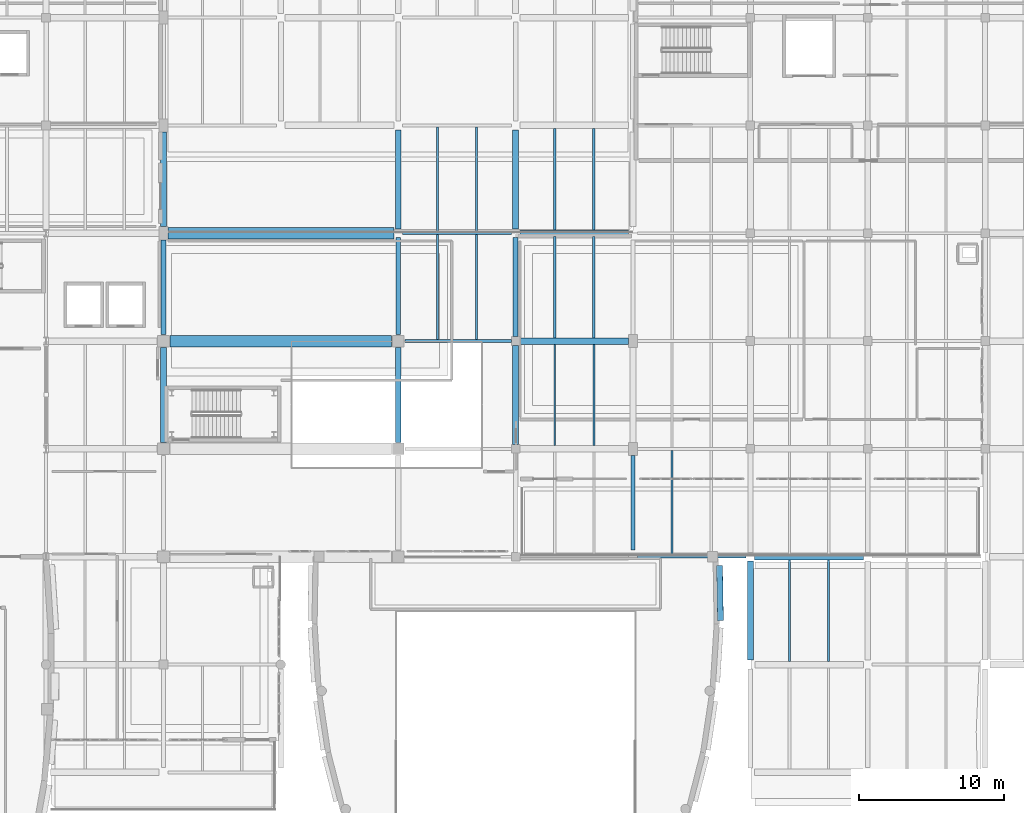
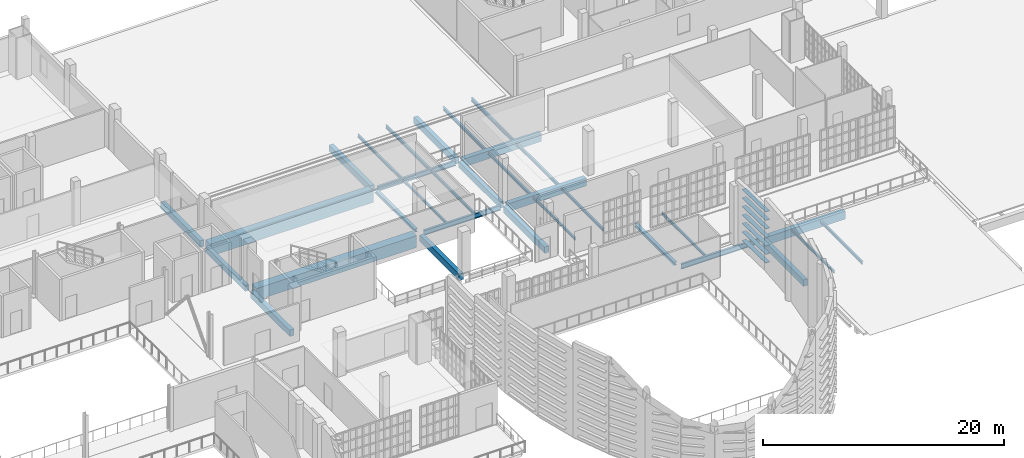
# One storey, part 21 of 73: 32 beams, 7 members.
"""IFC4 building model written with IfcOpenShell, lengths in metres."""

from ifc_helpers import new_model, si_unit, direction, frame, origin, origin_2d, place, context, subcontext, project, spatial, rectangle, hollow_rectangle, i_section, extrude, material, material_profile, profile_set, type_object, element, save


model = new_model("IFC4")

# Units and contexts
model_context = context("Model", 3, precision=1e-05, world=origin(), true_north=direction((0.0, 1.0)))
body_context = subcontext(model_context, "Body", "Model", "MODEL_VIEW")
ifc_project = project(units=[si_unit("LENGTHUNIT", "METRE"), si_unit("AREAUNIT", "SQUARE_METRE"), si_unit("VOLUMEUNIT", "CUBIC_METRE"), si_unit("PLANEANGLEUNIT", "RADIAN"), si_unit("MASSUNIT", "GRAM", prefix="KILO")], contexts=[model_context])

# Site, building, storey
site_placement = place(None, origin())
site = spatial("IfcSite", under=ifc_project, at=site_placement, CompositionType="ELEMENT")
building_placement = place(site_placement, origin())
building = spatial("IfcBuilding", under=site, at=building_placement, Name="Kaelora Sail Theatre", CompositionType="ELEMENT")
storey_placement = place(building_placement, frame((0.0, 0.0, 10.199951171875)))
storey = spatial("IfcBuildingStorey", under=building, at=storey_placement, Name="L02", CompositionType="ELEMENT", Elevation=10.199951171875)

# Members
ifc_material_1 = material(Name="Anodised aluminium 6063-T6", Category="aluminium")
ifc_material_profile_1 = material_profile(ifc_material_1, hollow_rectangle(XDim=0.419921875, YDim=0.054931640625, WallThickness=0.00390625, InnerFilletRadius=0.00390625, OuterFilletRadius=0.008056640625, at=origin_2d()), Name="LOUVRE 420x55x4")
ifc_profile_set_1 = profile_set([ifc_material_profile_1], Name="Anodised aluminium 6063-T6")
member_type = type_object("IfcMemberType", Name="ARC-MEM-LVR-420", PredefinedType="USERDEFINED", material=ifc_profile_set_1)
for number, where, z_axis, x_axis, name in (
    (1, (104.670166015625, 60.412353515625, 0.510009765625), (0.016590707442, -0.999862364742, 0.0), (0.999862364742, 0.016590707442, 0.0), "Studio Theatre Sail Drum horizontal solar louvre C1-12"),
    (2, (104.670166015625, 60.412353515625, 1.3701171875), (0.016590707442, -0.999862364742, 0.0), (0.999862364742, 0.016590707442, 0.0), "Studio Theatre Sail Drum horizontal solar louvre C1-13"),
    (3, (104.670166015625, 60.412353515625, 2.22998046875), (0.016590707442, -0.999862364742, 0.0), (0.999862364742, 0.016590707442, 0.0), "Studio Theatre Sail Drum horizontal solar louvre C1-14"),
    (4, (104.670166015625, 60.412353515625, 3.090087890625), (0.016590707442, -0.999862364742, 0.0), (0.999862364742, 0.016590707442, 0.0), "Studio Theatre Sail Drum horizontal solar louvre C1-15"),
    (5, (104.670166015625, 60.412353515625, 3.949951171875), (0.016590707442, -0.999862364742, 0.0), (0.999862364742, 0.016590707442, 0.0), "Studio Theatre Sail Drum horizontal solar louvre C1-16"),
    (6, (104.670166015625, 60.412353515625, 4.81005859375), (0.016590707442, -0.999862364742, 0.0), (0.999862364742, 0.016590707442, 0.0), "Studio Theatre Sail Drum horizontal solar louvre C1-17"),
    (7, (104.670166015625, 60.412353515625, 5.670166015625), (0.016590707442, -0.999862364742, 0.0), (0.999862364742, 0.016590707442, 0.0), "Studio Theatre Sail Drum horizontal solar louvre C1-18"),
):
    element("IfcMember", number, at=place(storey_placement, frame(where, z_axis=z_axis, x_axis=x_axis)), inside=storey, type_object=member_type, Name=name, ObjectType="LOUVRE", PredefinedType="USERDEFINED", context=body_context, shape_type="SweptSolid", body=[
        extrude(hollow_rectangle(XDim=0.419921875, YDim=0.054931640625, WallThickness=0.00390625, InnerFilletRadius=0.00390625, OuterFilletRadius=0.008056640625, at=origin_2d()), origin(), (0.0, 0.0, 1.0), 3.811279296875),
    ])

# Beams
ifc_material_2 = material(Name="Steel S355", Category="steel")
ifc_material_profile_2 = material_profile(ifc_material_2, i_section(OverallWidth=0.300048828125, OverallDepth=0.31005859375, WebThickness=0.009033203125, FlangeThickness=0.015380859375, FilletRadius=0.027099609375, at=origin_2d()), Name="HEA 320")
ifc_profile_set_2 = profile_set([ifc_material_profile_2], Name="Steel S355")
beam_type_1 = type_object("IfcBeamType", Name="STR-BM-BM-HEA320", PredefinedType="BEAM", material=ifc_profile_set_2)
beam_1_placement = place(storey_placement, frame((82.5, 76.35009765625, -0.449951171875), z_axis=(0.0, 1.0, 0.0), x_axis=(-1.0, 0.0, 0.0)))
element("IfcBeam", 8, at=beam_1_placement, inside=storey, type_object=beam_type_1, Name="Primary beam 11 K-L (L02)", PredefinedType="BEAM", context=body_context, shape_type="SweptSolid", body=[
    extrude(i_section(OverallWidth=0.300048828125, OverallDepth=0.31005859375, WebThickness=0.009033203125, FlangeThickness=0.015380859375, FilletRadius=0.027099609375, at=origin_2d()), origin(), (0.0, 0.0, 1.0), 6.68994140625),
])
beam_2_placement = place(storey_placement, frame((98.699951171875, 61.469970703125, -0.449951171875), z_axis=(0.0, 1.0, 0.0), x_axis=(-1.0, 0.0, 0.0)))
element("IfcBeam", 9, at=beam_2_placement, inside=storey, type_object=beam_type_1, Name="Primary beam 13 I-J (L02)", PredefinedType="BEAM", context=body_context, shape_type="SweptSolid", body=[
    extrude(i_section(OverallWidth=0.300048828125, OverallDepth=0.31005859375, WebThickness=0.009033203125, FlangeThickness=0.015380859375, FilletRadius=0.027099609375, at=origin_2d()), origin(), (0.0, 0.0, 1.0), 6.5400390625),
])
ifc_material_3 = material(Name="Steel S355", Category="steel")
ifc_material_profile_3 = material_profile(ifc_material_3, i_section(OverallWidth=0.199951171875, OverallDepth=0.5, WebThickness=0.01025390625, FlangeThickness=0.01611328125, FilletRadius=0.02099609375, at=origin_2d()), Name="IPE 500")
ifc_profile_set_3 = profile_set([ifc_material_profile_3], Name="Steel S355")
beam_type_2 = type_object("IfcBeamType", Name="STR-BM-BM-IPE500", PredefinedType="BEAM", material=ifc_profile_set_3)
beam_3_placement = place(storey_placement, frame((82.949951171875, 75.89990234375, -0.544921875), z_axis=(1.0, 0.0, 0.0), x_axis=(0.0, 1.0, 0.0)))
element("IfcBeam", 10, at=beam_3_placement, inside=storey, type_object=beam_type_2, Name="Primary beam K 11-12 (L02)", PredefinedType="BEAM", context=body_context, shape_type="SweptSolid", body=[
    extrude(i_section(OverallWidth=0.199951171875, OverallDepth=0.5, WebThickness=0.01025390625, FlangeThickness=0.01611328125, FilletRadius=0.02099609375, at=origin_2d()), origin(), (0.0, 0.0, 1.0), 7.35009765625),
])
for number, where, z_axis, x_axis, name in (
    (11, (82.800048828125, 83.340087890625, -0.544921875), (1.0, 0.0, 0.0), (0.0, 1.0, 0.0), "Primary beam L 11-12 (L02)"),
    (12, (99.0, 61.02001953125, -0.544921875), (1.0, 0.0, 0.0), (0.0, 1.0, 0.0), "Primary beam I 13-14 (L02)"),
):
    element("IfcBeam", number, at=place(storey_placement, frame(where, z_axis=z_axis, x_axis=x_axis)), inside=storey, type_object=beam_type_2, Name=name, PredefinedType="BEAM", context=body_context, shape_type="SweptSolid", body=[
        extrude(i_section(OverallWidth=0.199951171875, OverallDepth=0.5, WebThickness=0.01025390625, FlangeThickness=0.01611328125, FilletRadius=0.02099609375, at=origin_2d()), origin(), (0.0, 0.0, 1.0), 7.5),
    ])
ifc_material_4 = material(Name="Concrete C40/50", Category="concrete")
ifc_material_profile_4 = material_profile(ifc_material_4, rectangle(XDim=0.35009765625, YDim=0.60009765625, at=origin_2d()), Name="RC-BM 350x600")
ifc_profile_set_4 = profile_set([ifc_material_profile_4], Name="Concrete C40/50")
beam_type_3 = type_object("IfcBeamType", Name="STR-BM-BM-RC3560", PredefinedType="BEAM", material=ifc_profile_set_4)
beam_4_placement = place(storey_placement, frame((66.300048828125, 76.35009765625, -0.594970703125), z_axis=(0.0, 1.0, 0.0), x_axis=(-1.0, 0.0, 0.0)))
element("IfcBeam", 13, at=beam_4_placement, inside=storey, type_object=beam_type_3, Name="Primary beam 9 K-L (L02)", PredefinedType="BEAM", context=body_context, shape_type="SweptSolid", body=[
    extrude(rectangle(XDim=0.35009765625, YDim=0.60009765625, at=origin_2d()), origin(), (0.0, 0.0, 1.0), 6.539794921875),
])
beam_5_placement = place(storey_placement, frame((90.60009765625, 76.199951171875, -0.594970703125), z_axis=(0.0, 1.0, 0.0), x_axis=(-1.0, 0.0, 0.0)))
element("IfcBeam", 14, at=beam_5_placement, inside=storey, type_object=beam_type_3, Name="Primary beam 12 K-L (L02)", PredefinedType="BEAM", context=body_context, shape_type="SweptSolid", body=[
    extrude(rectangle(XDim=0.35009765625, YDim=0.60009765625, at=origin_2d()), origin(), (0.0, 0.0, 1.0), 6.840087890625),
])
ifc_material_5 = material(Name="Concrete C40/50", Category="concrete")
ifc_material_profile_5 = material_profile(ifc_material_5, rectangle(XDim=0.39990234375, YDim=0.64990234375, at=origin_2d()), Name="RC-BM 400x650")
ifc_profile_set_5 = profile_set([ifc_material_profile_5], Name="Concrete C40/50")
beam_type_4 = type_object("IfcBeamType", Name="STR-BM-BM-RC4065", PredefinedType="BEAM", material=ifc_profile_set_5)
for number, where, z_axis, x_axis, name in (
    (15, (66.300048828125, 68.909912109375, -0.619873046875), (0.0, 1.0, 0.0), (-1.0, 0.0, 0.0), "Primary beam 9 J-K (L02)"),
    (16, (66.300048828125, 83.7900390625, -0.619873046875), (0.0, 1.0, 0.0), (-1.0, 0.0, 0.0), "Primary beam 9 L-M (L02)"),
    (17, (82.5, 68.909912109375, -0.619873046875), (0.0, 1.0, 0.0), (-1.0, 0.0, 0.0), "Primary beam 11 J-K (L02)"),
):
    element("IfcBeam", number, at=place(storey_placement, frame(where, z_axis=z_axis, x_axis=x_axis)), inside=storey, type_object=beam_type_4, Name=name, PredefinedType="BEAM", context=body_context, shape_type="SweptSolid", body=[
        extrude(rectangle(XDim=0.39990234375, YDim=0.64990234375, at=origin_2d()), origin(), (0.0, 0.0, 1.0), 6.5400390625),
    ])
for number, where, z_axis, x_axis, name in (
    (18, (82.5, 83.639892578125, -0.619873046875), (0.0, 1.0, 0.0), (-1.0, 0.0, 0.0), "Primary beam 11 L-M (L02)"),
    (19, (90.60009765625, 68.760009765625, -0.619873046875), (0.0, 1.0, 0.0), (-1.0, 0.0, 0.0), "Primary beam 12 J-K (L02)"),
    (20, (90.60009765625, 83.639892578125, -0.619873046875), (0.0, 1.0, 0.0), (-1.0, 0.0, 0.0), "Primary beam 12 L-M (L02)"),
):
    element("IfcBeam", number, at=place(storey_placement, frame(where, z_axis=z_axis, x_axis=x_axis)), inside=storey, type_object=beam_type_4, Name=name, PredefinedType="BEAM", context=body_context, shape_type="SweptSolid", body=[
        extrude(rectangle(XDim=0.39990234375, YDim=0.64990234375, at=origin_2d()), origin(), (0.0, 0.0, 1.0), 6.840087890625),
    ])
beam_6_placement = place(storey_placement, frame((106.800048828125, 53.905029296875, -0.619873046875), z_axis=(0.0, 1.0, 0.0), x_axis=(-1.0, 0.0, 0.0)))
element("IfcBeam", 21, at=beam_6_placement, inside=storey, type_object=beam_type_4, Name="Primary beam 14 H-I (L02)", PredefinedType="BEAM", context=body_context, shape_type="SweptSolid", body=[
    extrude(rectangle(XDim=0.39990234375, YDim=0.64990234375, at=origin_2d()), origin(), (0.0, 0.0, 1.0), 6.81494140625),
])
ifc_material_6 = material(Name="Concrete C45/55", Category="concrete")
ifc_material_profile_6 = material_profile(ifc_material_6, rectangle(XDim=0.449951171875, YDim=0.800048828125, at=origin_2d()), Name="RC-BM 450x800")
ifc_profile_set_6 = profile_set([ifc_material_profile_6], Name="Concrete C45/55")
beam_type_5 = type_object("IfcBeamType", Name="STR-BM-BM-RC4580", PredefinedType="BEAM", material=ifc_profile_set_6)
for number, where, z_axis, x_axis, name in (
    (22, (90.89990234375, 75.89990234375, -0.695068359375), (1.0, 0.0, 0.0), (0.0, 1.0, 0.0), "Primary beam K 12-13 (L02)"),
    (23, (90.89990234375, 83.340087890625, -0.695068359375), (1.0, 0.0, 0.0), (0.0, 1.0, 0.0), "Primary beam L 12-13 (L02)"),
    (24, (107.10009765625, 61.02001953125, -0.695068359375), (1.0, 0.0, 0.0), (0.0, 1.0, 0.0), "Primary beam I 14-15 (L02)"),
):
    element("IfcBeam", number, at=place(storey_placement, frame(where, z_axis=z_axis, x_axis=x_axis)), inside=storey, type_object=beam_type_5, Name=name, PredefinedType="BEAM", context=body_context, shape_type="SweptSolid", body=[
        extrude(rectangle(XDim=0.449951171875, YDim=0.800048828125, at=origin_2d()), origin(), (0.0, 0.0, 1.0), 7.5),
    ])
ifc_material_7 = material(Name="Steel S355", Category="steel")
ifc_material_profile_7 = material_profile(ifc_material_7, i_section(OverallWidth=0.135009765625, OverallDepth=0.27001953125, WebThickness=0.006591796875, FlangeThickness=0.01025390625, FilletRadius=0.014892578125, at=origin_2d()), Name="IPE 270")
ifc_profile_set_7 = profile_set([ifc_material_profile_7], Name="Steel S355")
beam_type_6 = type_object("IfcBeamType", Name="STR-BM-JS-IPE270", PredefinedType="JOIST", material=ifc_profile_set_7)
beam_7_placement = place(storey_placement, frame((85.199951171875, 76.0, -0.429931640625), z_axis=(0.0, 1.0, 0.0), x_axis=(-1.0, 0.0, 0.0)))
element("IfcBeam", 25, at=beam_7_placement, inside=storey, type_object=beam_type_6, Name="Secondary floor joist 11/K-1 (L02)", PredefinedType="JOIST", context=body_context, shape_type="SweptSolid", body=[
    extrude(i_section(OverallWidth=0.135009765625, OverallDepth=0.27001953125, WebThickness=0.006591796875, FlangeThickness=0.01025390625, FilletRadius=0.014892578125, at=origin_2d()), origin(), (0.0, 0.0, 1.0), 7.239990234375),
])
beam_8_placement = place(storey_placement, frame((93.300048828125, 68.68505859375, -0.429931640625), z_axis=(0.0, 1.0, 0.0), x_axis=(-1.0, 0.0, 0.0)))
element("IfcBeam", 26, at=beam_8_placement, inside=storey, type_object=beam_type_6, Name="Secondary floor joist 12/J-1 (L02)", PredefinedType="JOIST", context=body_context, shape_type="SweptSolid", body=[
    extrude(i_section(OverallWidth=0.135009765625, OverallDepth=0.27001953125, WebThickness=0.006591796875, FlangeThickness=0.01025390625, FilletRadius=0.014892578125, at=origin_2d()), origin(), (0.0, 0.0, 1.0), 6.989990234375),
])
beam_9_placement = place(storey_placement, frame((101.39990234375, 61.1201171875, -0.429931640625), z_axis=(0.0, 1.0, 0.0), x_axis=(-1.0, 0.0, 0.0)))
element("IfcBeam", 27, at=beam_9_placement, inside=storey, type_object=beam_type_6, Name="Secondary floor joist 13/I-1 (L02)", PredefinedType="JOIST", context=body_context, shape_type="SweptSolid", body=[
    extrude(i_section(OverallWidth=0.135009765625, OverallDepth=0.27001953125, WebThickness=0.006591796875, FlangeThickness=0.01025390625, FilletRadius=0.014892578125, at=origin_2d()), origin(), (0.0, 0.0, 1.0), 7.239990234375),
])
beam_10_placement = place(storey_placement, frame((109.5, 53.804931640625, -0.429931640625), z_axis=(0.0, 1.0, 0.0), x_axis=(-1.0, 0.0, 0.0)))
element("IfcBeam", 28, at=beam_10_placement, inside=storey, type_object=beam_type_6, Name="Secondary floor joist 14/H-1 (L02)", PredefinedType="JOIST", context=body_context, shape_type="SweptSolid", body=[
    extrude(i_section(OverallWidth=0.135009765625, OverallDepth=0.27001953125, WebThickness=0.006591796875, FlangeThickness=0.01025390625, FilletRadius=0.014892578125, at=origin_2d()), origin(), (0.0, 0.0, 1.0), 6.989990234375),
])
ifc_material_8 = material(Name="Steel S355", Category="steel")
ifc_material_profile_8 = material_profile(ifc_material_8, i_section(OverallWidth=0.14990234375, OverallDepth=0.300048828125, WebThickness=0.007080078125, FlangeThickness=0.0107421875, FilletRadius=0.014892578125, at=origin_2d()), Name="IPE 300")
ifc_profile_set_8 = profile_set([ifc_material_profile_8], Name="Steel S355")
beam_type_7 = type_object("IfcBeamType", Name="STR-BM-JS-IPE300", PredefinedType="JOIST", material=ifc_profile_set_8)
for number, where, z_axis, x_axis, name in (
    (29, (87.89990234375, 76.0, -0.445068359375), (0.0, 1.0, 0.0), (-1.0, 0.0, 0.0), "Secondary floor joist 11/K-2 (L02)"),
    (30, (85.199951171875, 83.43994140625, -0.445068359375), (0.0, 1.0, 0.0), (-1.0, 0.0, 0.0), "Secondary floor joist 11/L-1 (L02)"),
):
    element("IfcBeam", number, at=place(storey_placement, frame(where, z_axis=z_axis, x_axis=x_axis)), inside=storey, type_object=beam_type_7, Name=name, PredefinedType="JOIST", context=body_context, shape_type="SweptSolid", body=[
        extrude(i_section(OverallWidth=0.14990234375, OverallDepth=0.300048828125, WebThickness=0.007080078125, FlangeThickness=0.0107421875, FilletRadius=0.014892578125, at=origin_2d()), origin(), (0.0, 0.0, 1.0), 7.239990234375),
    ])
for number, where, z_axis, x_axis, name in (
    (31, (96.0, 68.68505859375, -0.445068359375), (0.0, 1.0, 0.0), (-1.0, 0.0, 0.0), "Secondary floor joist 12/J-2 (L02)"),
    (32, (93.300048828125, 76.125, -0.445068359375), (0.0, 1.0, 0.0), (-1.0, 0.0, 0.0), "Secondary floor joist 12/K-1 (L02)"),
    (33, (112.199951171875, 53.804931640625, -0.445068359375), (0.0, 1.0, 0.0), (-1.0, 0.0, 0.0), "Secondary floor joist 14/H-2 (L02)"),
):
    element("IfcBeam", number, at=place(storey_placement, frame(where, z_axis=z_axis, x_axis=x_axis)), inside=storey, type_object=beam_type_7, Name=name, PredefinedType="JOIST", context=body_context, shape_type="SweptSolid", body=[
        extrude(i_section(OverallWidth=0.14990234375, OverallDepth=0.300048828125, WebThickness=0.007080078125, FlangeThickness=0.0107421875, FilletRadius=0.014892578125, at=origin_2d()), origin(), (0.0, 0.0, 1.0), 6.989990234375),
    ])
ifc_material_9 = material(Name="Steel S355", Category="steel")
ifc_material_profile_9 = material_profile(ifc_material_9, i_section(OverallWidth=0.159912109375, OverallDepth=0.330078125, WebThickness=0.007568359375, FlangeThickness=0.011474609375, FilletRadius=0.01806640625, at=origin_2d()), Name="IPE 330")
ifc_profile_set_9 = profile_set([ifc_material_profile_9], Name="Steel S355")
beam_type_8 = type_object("IfcBeamType", Name="STR-BM-JS-IPE330", PredefinedType="JOIST", material=ifc_profile_set_9)
beam_11_placement = place(storey_placement, frame((87.89990234375, 83.43994140625, -0.4599609375), z_axis=(0.0, 1.0, 0.0), x_axis=(-1.0, 0.0, 0.0)))
element("IfcBeam", 34, at=beam_11_placement, inside=storey, type_object=beam_type_8, Name="Secondary floor joist 11/L-2 (L02)", PredefinedType="JOIST", context=body_context, shape_type="SweptSolid", body=[
    extrude(i_section(OverallWidth=0.159912109375, OverallDepth=0.330078125, WebThickness=0.007568359375, FlangeThickness=0.011474609375, FilletRadius=0.01806640625, at=origin_2d()), origin(), (0.0, 0.0, 1.0), 7.239990234375),
])
for number, where, z_axis, x_axis, name in (
    (35, (96.0, 76.125, -0.4599609375), (0.0, 1.0, 0.0), (-1.0, 0.0, 0.0), "Secondary floor joist 12/K-2 (L02)"),
    (36, (93.300048828125, 83.56494140625, -0.4599609375), (0.0, 1.0, 0.0), (-1.0, 0.0, 0.0), "Secondary floor joist 12/L-1 (L02)"),
):
    element("IfcBeam", number, at=place(storey_placement, frame(where, z_axis=z_axis, x_axis=x_axis)), inside=storey, type_object=beam_type_8, Name=name, PredefinedType="JOIST", context=body_context, shape_type="SweptSolid", body=[
        extrude(i_section(OverallWidth=0.159912109375, OverallDepth=0.330078125, WebThickness=0.007568359375, FlangeThickness=0.011474609375, FilletRadius=0.01806640625, at=origin_2d()), origin(), (0.0, 0.0, 1.0), 6.989990234375),
    ])
ifc_material_10 = material(Name="Steel S355", Category="steel")
ifc_material_profile_10 = material_profile(ifc_material_10, i_section(OverallWidth=0.169921875, OverallDepth=0.360107421875, WebThickness=0.008056640625, FlangeThickness=0.0126953125, FilletRadius=0.01806640625, at=origin_2d()), Name="IPE 360")
ifc_profile_set_10 = profile_set([ifc_material_profile_10], Name="Steel S355")
beam_type_9 = type_object("IfcBeamType", Name="STR-BM-JS-IPE360", PredefinedType="JOIST", material=ifc_profile_set_10)
beam_12_placement = place(storey_placement, frame((96.0, 83.56494140625, -0.474853515625), z_axis=(0.0, 1.0, 0.0), x_axis=(-1.0, 0.0, 0.0)))
element("IfcBeam", 37, at=beam_12_placement, inside=storey, type_object=beam_type_9, Name="Secondary floor joist 12/L-2 (L02)", PredefinedType="JOIST", context=body_context, shape_type="SweptSolid", body=[
    extrude(i_section(OverallWidth=0.169921875, OverallDepth=0.360107421875, WebThickness=0.008056640625, FlangeThickness=0.0126953125, FilletRadius=0.01806640625, at=origin_2d()), origin(), (0.0, 0.0, 1.0), 6.989990234375),
])
ifc_material_11 = material(Name="Concrete C50/60", Category="concrete")
ifc_material_profile_11 = material_profile(ifc_material_11, rectangle(XDim=0.800048828125, YDim=1.199951171875, at=origin_2d()), Name="RC-SRB 800x1200")
ifc_profile_set_11 = profile_set([ifc_material_profile_11], Name="Concrete C50/60")
beam_type_10 = type_object("IfcBeamType", Name="STR-BM-SRB-8012", PredefinedType="T_BEAM", material=ifc_profile_set_11)
beam_13_placement = place(storey_placement, frame((66.75, 75.89990234375, -0.89501953125), z_axis=(1.0, 0.0, 0.0), x_axis=(0.0, 1.0, 0.0)))
element("IfcBeam", 38, at=beam_13_placement, inside=storey, type_object=beam_type_10, Name="Grand Foyer clear-span girder L02-K", PredefinedType="T_BEAM", context=body_context, shape_type="SweptSolid", body=[
    extrude(rectangle(XDim=0.800048828125, YDim=1.199951171875, at=origin_2d()), origin(), (0.0, 0.0, 1.0), 15.300048828125),
])
beam_14_placement = place(storey_placement, frame((66.60009765625, 83.340087890625, -0.89501953125), z_axis=(1.0, 0.0, 0.0), x_axis=(0.0, 1.0, 0.0)))
element("IfcBeam", 39, at=beam_14_placement, inside=storey, type_object=beam_type_10, Name="Grand Foyer clear-span girder L02-L", PredefinedType="T_BEAM", context=body_context, shape_type="SweptSolid", body=[
    extrude(rectangle(XDim=0.800048828125, YDim=1.199951171875, at=origin_2d()), origin(), (0.0, 0.0, 1.0), 15.599853515625),
])

save(model, "model.ifc")
